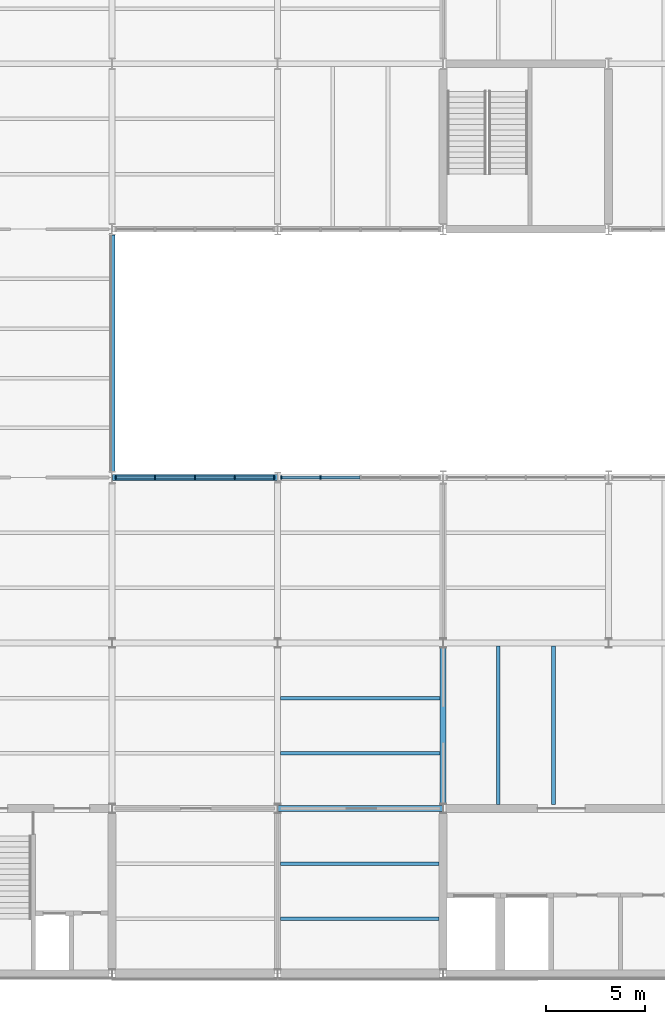
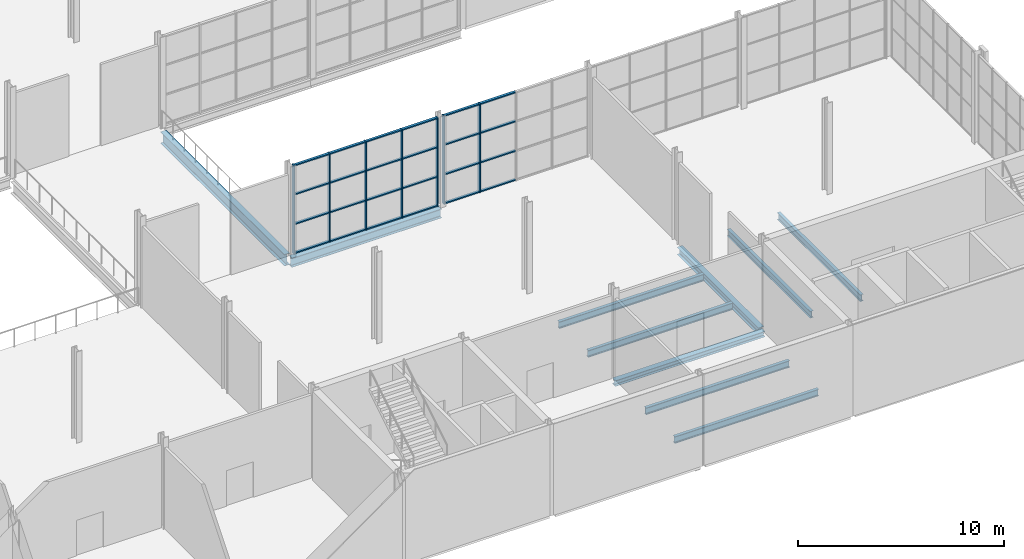
# One storey, part 22 of 64: 31 members, 10 beams, 2 elements without a shape of their own.
"""IFC4 building model written with IfcOpenShell, lengths in metres."""

import ifcopenshell
import ifcopenshell.guid

model = None  # the IFC model being written
_history = None  # IfcOwnerHistory: only IFC2X3 demands one
_inside = {}  # id of a spatial element -> (the spatial element, [elements in it])
_under = {}  # id of a project, library or spatial element -> (it, [spatial elements below it])
_declared = {}  # id of a project -> (the project, [libraries it declares])
_typed = {}  # id of a type object -> (the type object, [elements of that type])
_made_of = {}  # id of a material, layer set ... -> (it, [elements and type objects made of it])


def new_model(schema):
    """Start an empty IFC model of exactly this schema.

    Asked for "IFC4X3", IfcOpenShell would pick the latest addendum, in which some entities
    have other attributes; the version numbers below select the first issue.
    IFC2X3 requires an IfcOwnerHistory on every rooted entity: one is made here for all.
    """
    global model, _history
    if schema == "IFC4X3":
        model = ifcopenshell.file(schema_version=(4, 3, 0, 0))
    else:
        model = ifcopenshell.file(schema=schema)
    _inside.clear()
    _under.clear()
    _declared.clear()
    _typed.clear()
    _made_of.clear()
    _history = None
    if model.schema == "IFC2X3":
        org = make("IfcOrganization", Name="unknown")
        user = make(
            "IfcPersonAndOrganization",
            ThePerson=make("IfcPerson", FamilyName="unknown"),
            TheOrganization=org,
        )
        app = make(
            "IfcApplication",
            ApplicationDeveloper=org,
            Version="unknown",
            ApplicationFullName="unknown",
            ApplicationIdentifier="unknown",
        )
        _history = make(
            "IfcOwnerHistory",
            OwningUser=user,
            OwningApplication=app,
            ChangeAction="ADDED",
            CreationDate=0,
        )
    return model


def make(cls, **values):
    """One entity of the class cls with the attributes given. An attribute that is None is left unset."""
    return model.create_entity(
        cls, **{name: value for name, value in values.items() if value is not None}
    )


def rooted(cls, **values):
    """An entity with a GlobalId (a new one), such as an element, a storey or a relation."""
    return make(cls, GlobalId=ifcopenshell.guid.new(), OwnerHistory=_history, **values)


def si_unit(unit_type, name, prefix=None):
    """IfcSIUnit, for example si_unit("LENGTHUNIT", "METRE", prefix="MILLI")."""
    return make("IfcSIUnit", UnitType=unit_type, Prefix=prefix, Name=name)


def assignment(units):
    """IfcUnitAssignment: the units of a project."""
    return None if units is None else make("IfcUnitAssignment", Units=units)


def point(xyz):
    """IfcCartesianPoint."""
    return None if xyz is None else make("IfcCartesianPoint", Coordinates=xyz)


def direction(xyz):
    """IfcDirection."""
    return None if xyz is None else make("IfcDirection", DirectionRatios=xyz)


def frame(location, z_axis=None, x_axis=None):
    """IfcAxis2Placement3D, a coordinate frame: its origin and axes. An axis left out is left unset."""
    return make(
        "IfcAxis2Placement3D",
        Location=point(location),
        Axis=direction(z_axis),
        RefDirection=direction(x_axis),
    )


def frame_2d(location, x_axis=None):
    """IfcAxis2Placement2D, a coordinate frame in the plane: its origin and x axis."""
    return make(
        "IfcAxis2Placement2D", Location=point(location), RefDirection=direction(x_axis)
    )


def origin():
    """The frame at (0, 0, 0) with its axes left unset."""
    return frame((0.0, 0.0, 0.0))


def origin_2d():
    """The frame at (0, 0) in the plane with its x axis left unset."""
    return frame_2d((0.0, 0.0))


def place(relative_to, where):
    """IfcLocalPlacement: puts the frame where relative to a parent placement (None: the world)."""
    return make(
        "IfcLocalPlacement", PlacementRelTo=relative_to, RelativePlacement=where
    )


def context(
    kind, dimensions, precision=None, world=None, true_north=None, identifier=None
):
    """IfcGeometricRepresentationContext, for example the 3D "Model" context."""
    return make(
        "IfcGeometricRepresentationContext",
        ContextIdentifier=identifier,
        ContextType=kind,
        CoordinateSpaceDimension=dimensions,
        Precision=precision,
        WorldCoordinateSystem=world,
        TrueNorth=true_north,
    )


def subcontext(parent, identifier, kind, view, scale=None):
    """IfcGeometricRepresentationSubContext, for example "Body" below "Model"."""
    return make(
        "IfcGeometricRepresentationSubContext",
        ContextIdentifier=identifier,
        ContextType=kind,
        ParentContext=parent,
        TargetScale=scale,
        TargetView=view,
    )


def project(units=None, contexts=None):
    """IfcProject with its units and contexts."""
    return rooted(
        "IfcProject",
        Name="project",
        RepresentationContexts=contexts,
        UnitsInContext=assignment(units),
    )


def spatial(cls, under=None, at=None, **own):
    """A site, building, storey or space (cls), placed at a placement, below another one or the project."""
    s = rooted(cls, ObjectPlacement=at, **own)
    if under is not None:
        _under.setdefault(under.id(), (under, []))[1].append(s)
    return s


def profile(cls, at=None, kind="AREA", **sizes):
    """A parametric profile (cls). Its sizes go by their IFC names, for example OverallWidth=200.0."""
    return make(cls, ProfileType=kind, Position=at, **sizes)


def rectangle(**sizes):
    """IfcRectangleProfileDef."""
    return profile("IfcRectangleProfileDef", **sizes)


def i_section(**sizes):
    """IfcIShapeProfileDef."""
    return profile("IfcIShapeProfileDef", **sizes)


def extrude(swept, where, along, depth):
    """IfcExtrudedAreaSolid: the profile swept, set in the frame where, extruded along a direction by depth."""
    return make(
        "IfcExtrudedAreaSolid",
        SweptArea=swept,
        Position=where,
        ExtrudedDirection=direction(along),
        Depth=depth,
    )


def shape(context_of_items, identifier, shape_type, items):
    """IfcShapeRepresentation: the items that make up one representation, for example the "Body"."""
    return make(
        "IfcShapeRepresentation",
        ContextOfItems=context_of_items,
        RepresentationIdentifier=identifier,
        RepresentationType=shape_type,
        Items=items,
    )


def material(Name=None, Category=None):
    """IfcMaterial."""
    return make("IfcMaterial", Name=Name, Category=Category)


def layer(
    of_material, thickness, ventilated=None, Name=None, Category=None, Priority=None
):
    """IfcMaterialLayer: one layer of a wall or slab, of a material (None: an air gap)."""
    return make(
        "IfcMaterialLayer",
        Material=of_material,
        LayerThickness=thickness,
        IsVentilated=ventilated,
        Name=Name,
        Category=Category,
        Priority=Priority,
    )


def layer_set(layers, Name=None):
    """IfcMaterialLayerSet."""
    return make("IfcMaterialLayerSet", MaterialLayers=layers, LayerSetName=Name)


def material_profile(
    of_material, cross_section, Name=None, Category=None, Priority=None
):
    """IfcMaterialProfile: a cross section and its material."""
    return make(
        "IfcMaterialProfile",
        Name=Name,
        Material=of_material,
        Profile=cross_section,
        Priority=Priority,
        Category=Category,
    )


def profile_set(profiles, Name=None, composite=None):
    """IfcMaterialProfileSet."""
    return make(
        "IfcMaterialProfileSet",
        Name=Name,
        MaterialProfiles=profiles,
        CompositeProfile=composite,
    )


def made_of(thing, what):
    """Note that an element or type object is made of a material, layer set ...; save() writes the relation."""
    if what is not None:
        _made_of.setdefault(what.id(), (what, []))[1].append(thing)
    return thing


def type_object(cls, material=None, **own):
    """A type object (cls), such as IfcWallType, which elements share."""
    return made_of(rooted(cls, **own), material)


def element(
    cls,
    number,
    at=None,
    inside=None,
    cuts=None,
    type_object=None,
    material=None,
    context=None,
    identifier="Body",
    shape_type=None,
    held_by="IfcProductDefinitionShape",
    body=None,
    shapes=None,
    **own,
):
    """One element of the class cls, such as IfcWall. Its Tag is "e" and its number.

    at: its placement. inside: the storey or other place that contains it. cuts: it is an
    opening in that element (IfcRelVoidsElement). A single representation is given by context,
    identifier, shape_type and body (its items); several are given by shapes. held_by: the class
    of the entity that holds the representations. save() writes the other relations.
    """
    e = rooted(cls, Tag="e%d" % number, ObjectPlacement=at, **own)
    if body is not None:
        shapes = [shape(context, identifier, shape_type, body)]
    if shapes is not None:
        e.Representation = make(held_by, Representations=shapes)
    if inside is not None:
        _inside.setdefault(inside.id(), (inside, []))[1].append(e)
    if cuts is not None:
        rooted(
            "IfcRelVoidsElement", RelatingBuildingElement=cuts, RelatedOpeningElement=e
        )
    if type_object is not None:
        _typed.setdefault(type_object.id(), (type_object, []))[1].append(e)
    return made_of(e, material)


def aggregate(whole, parts):
    """IfcRelAggregates: a whole, such as a stair, and the parts it consists of."""
    return rooted("IfcRelAggregates", RelatingObject=whole, RelatedObjects=parts)


def save(model, path):
    """Write the relations noted so far, then the file.

    IfcRelAggregates (storeys below a building ...), IfcRelContainedInSpatialStructure (elements
    in a storey), IfcRelDefinesByType, IfcRelAssociatesMaterial and IfcRelDeclares: one each for
    every whole, place, type object, material and project.
    """
    for whole, parts in _under.values():
        aggregate(whole, parts)
    for where, things in _inside.values():
        rooted(
            "IfcRelContainedInSpatialStructure",
            RelatedElements=things,
            RelatingStructure=where,
        )
    for kind, things in _typed.values():
        rooted("IfcRelDefinesByType", RelatedObjects=things, RelatingType=kind)
    for what, things in _made_of.values():
        rooted("IfcRelAssociatesMaterial", RelatedObjects=things, RelatingMaterial=what)
    for by, libraries in _declared.values():
        rooted("IfcRelDeclares", RelatingContext=by, RelatedDefinitions=libraries)
    model.write(path)


model = new_model("IFC4")

# Units and contexts
model_context = context("Model", 3, precision=1e-05, world=origin(), true_north=direction((0.0, 1.0)))
body_context = subcontext(model_context, "Body", "Model", "MODEL_VIEW")
ifc_project = project(units=[si_unit("LENGTHUNIT", "METRE"), si_unit("AREAUNIT", "SQUARE_METRE"), si_unit("VOLUMEUNIT", "CUBIC_METRE"), si_unit("PLANEANGLEUNIT", "RADIAN"), si_unit("MASSUNIT", "GRAM", prefix="KILO")], contexts=[model_context])

# Site, building, storey
site_placement = place(None, origin())
site = spatial("IfcSite", under=ifc_project, at=site_placement, CompositionType="ELEMENT")
building_placement = place(site_placement, origin())
building = spatial("IfcBuilding", under=site, at=building_placement, Name="Galleria Vessillo Department Store", CompositionType="ELEMENT")
storey_placement = place(building_placement, frame((0.0, 0.0, 6.0)))
storey = spatial("IfcBuildingStorey", under=building, at=storey_placement, Name="L01", CompositionType="ELEMENT", Elevation=6.0)

# Curtain wall, members
ifc_material_1 = material(Name="Aluminium and glass curtain wall", Category="aluminium")
ifc_layer = layer(ifc_material_1, 0.199951171875)
ifc_layer_set = layer_set([ifc_layer], Name="Aluminium and glass curtain wall")
curtain_wall_type = type_object("IfcCurtainWallType", Name="Arcade curtain wall CW1 2100 module", PredefinedType="NOTDEFINED", material=ifc_layer_set)
curtain_wall_1_placement = place(storey_placement, origin())
curtain_wall_1 = element("IfcCurtainWall", 1, at=curtain_wall_1_placement, inside=storey, type_object=curtain_wall_type, Name="Arcade curtain wall CW1 2100 module AI-AE-S-L01-01", PredefinedType="NOTDEFINED")
ifc_material_2 = material(Name="Aluminium alloy 6063 T6", Category="aluminium")
ifc_material_profile_1 = material_profile(ifc_material_2, rectangle(XDim=0.199951171875, YDim=0.06005859375, at=origin_2d()), Name="AL 60x200")
ifc_profile_set_1 = profile_set([ifc_material_profile_1], Name="Aluminium alloy 6063 T6")
member_type_1 = type_object("IfcMemberType", Name="Aluminium mullion 60 x 200", PredefinedType="MULLION", material=ifc_profile_set_1)
member_1_placement = place(storey_placement, frame((84.1826171875, 25.199951171875, 0.0), z_axis=(0.0, 0.0, 1.0), x_axis=(0.0, 1.0, 0.0)))
member_1 = element("IfcMember", 2, at=member_1_placement, type_object=member_type_1, Name="CW1 mullion 1", PredefinedType="MULLION", context=body_context, shape_type="SweptSolid", body=[
    extrude(rectangle(XDim=0.199951171875, YDim=0.06005859375, at=origin_2d()), origin(), (0.0, 0.0, 1.0), 5.25),
])
member_2_placement = place(storey_placement, frame((86.17626953125, 25.199951171875, 0.0), z_axis=(0.0, 0.0, 1.0), x_axis=(0.0, 1.0, 0.0)))
member_2 = element("IfcMember", 3, at=member_2_placement, type_object=member_type_1, Name="CW1 mullion 2", PredefinedType="MULLION", context=body_context, shape_type="SweptSolid", body=[
    extrude(rectangle(XDim=0.199951171875, YDim=0.06005859375, at=origin_2d()), origin(), (0.0, 0.0, 1.0), 5.25),
])
member_3_placement = place(storey_placement, frame((88.19970703125, 25.199951171875, 0.0), z_axis=(0.0, 0.0, 1.0), x_axis=(0.0, 1.0, 0.0)))
member_3 = element("IfcMember", 4, at=member_3_placement, type_object=member_type_1, Name="CW1 mullion 3", PredefinedType="MULLION", context=body_context, shape_type="SweptSolid", body=[
    extrude(rectangle(XDim=0.199951171875, YDim=0.06005859375, at=origin_2d()), origin(), (0.0, 0.0, 1.0), 5.25),
])
member_4_placement = place(storey_placement, frame((90.223388671875, 25.199951171875, 0.0), z_axis=(0.0, 0.0, 1.0), x_axis=(0.0, 1.0, 0.0)))
member_4 = element("IfcMember", 5, at=member_4_placement, type_object=member_type_1, Name="CW1 mullion 4", PredefinedType="MULLION", context=body_context, shape_type="SweptSolid", body=[
    extrude(rectangle(XDim=0.199951171875, YDim=0.06005859375, at=origin_2d()), origin(), (0.0, 0.0, 1.0), 5.25),
])
member_5_placement = place(storey_placement, frame((92.216796875, 25.199951171875, 0.0), z_axis=(0.0, 0.0, 1.0), x_axis=(0.0, 1.0, 0.0)))
member_5 = element("IfcMember", 6, at=member_5_placement, type_object=member_type_1, Name="CW1 mullion 5", PredefinedType="MULLION", context=body_context, shape_type="SweptSolid", body=[
    extrude(rectangle(XDim=0.199951171875, YDim=0.06005859375, at=origin_2d()), origin(), (0.0, 0.0, 1.0), 5.25),
])

curtain_wall_2_placement = place(storey_placement, origin())
curtain_wall_2 = element("IfcCurtainWall", 7, at=curtain_wall_2_placement, inside=storey, type_object=curtain_wall_type, Name="Arcade curtain wall CW1 2100 module AI-AE-S-L01-02", PredefinedType="NOTDEFINED")
member_6_placement = place(storey_placement, frame((92.5830078125, 25.199951171875, 0.0), z_axis=(0.0, 0.0, 1.0), x_axis=(0.0, 1.0, 0.0)))
member_6 = element("IfcMember", 8, at=member_6_placement, type_object=member_type_1, Name="CW1 mullion 1", PredefinedType="MULLION", context=body_context, shape_type="SweptSolid", body=[
    extrude(rectangle(XDim=0.199951171875, YDim=0.06005859375, at=origin_2d()), origin(), (0.0, 0.0, 1.0), 5.25),
])
member_7_placement = place(storey_placement, frame((94.57666015625, 25.199951171875, 0.0), z_axis=(0.0, 0.0, 1.0), x_axis=(0.0, 1.0, 0.0)))
member_7 = element("IfcMember", 9, at=member_7_placement, type_object=member_type_1, Name="CW1 mullion 2", PredefinedType="MULLION", context=body_context, shape_type="SweptSolid", body=[
    extrude(rectangle(XDim=0.199951171875, YDim=0.06005859375, at=origin_2d()), origin(), (0.0, 0.0, 1.0), 5.25),
])

# Member
ifc_material_3 = material(Name="Aluminium alloy 6063 T6", Category="aluminium")
ifc_material_profile_2 = material_profile(ifc_material_3, rectangle(XDim=0.139892578125, YDim=0.070068359375, at=origin_2d()), Name="AL 70x140")
ifc_profile_set_2 = profile_set([ifc_material_profile_2], Name="Aluminium alloy 6063 T6")
member_type_2 = type_object("IfcMemberType", Name="Aluminium transom 70 x 140", PredefinedType="USERDEFINED", material=ifc_profile_set_2)
member_8_placement = place(storey_placement, frame((84.212646484375, 25.199951171875, 0.034912109375), z_axis=(1.0, 0.0, 0.0), x_axis=(0.0, 1.0, 0.0)))
member_8 = element("IfcMember", 10, at=member_8_placement, type_object=member_type_2, Name="CW1 transom 1.1", ObjectType="TRANSOM", PredefinedType="USERDEFINED", context=body_context, shape_type="SweptSolid", body=[
    extrude(rectangle(XDim=0.139892578125, YDim=0.070068359375, at=origin_2d()), origin(), (0.0, 0.0, 1.0), 1.93359375),
])

member_9_placement = place(storey_placement, frame((84.212646484375, 25.199951171875, 1.75), z_axis=(1.0, 0.0, 0.0), x_axis=(0.0, 1.0, 0.0)))
member_9 = element("IfcMember", 11, at=member_9_placement, type_object=member_type_2, Name="CW1 transom 1.2", ObjectType="TRANSOM", PredefinedType="USERDEFINED", context=body_context, shape_type="SweptSolid", body=[
    extrude(rectangle(XDim=0.139892578125, YDim=0.070068359375, at=origin_2d()), origin(), (0.0, 0.0, 1.0), 1.93359375),
])

member_10_placement = place(storey_placement, frame((84.212646484375, 25.199951171875, 3.5), z_axis=(1.0, 0.0, 0.0), x_axis=(0.0, 1.0, 0.0)))
member_10 = element("IfcMember", 12, at=member_10_placement, type_object=member_type_2, Name="CW1 transom 1.3", ObjectType="TRANSOM", PredefinedType="USERDEFINED", context=body_context, shape_type="SweptSolid", body=[
    extrude(rectangle(XDim=0.139892578125, YDim=0.070068359375, at=origin_2d()), origin(), (0.0, 0.0, 1.0), 1.93359375),
])

member_11_placement = place(storey_placement, frame((84.212646484375, 25.199951171875, 5.215087890625), z_axis=(1.0, 0.0, 0.0), x_axis=(0.0, 1.0, 0.0)))
member_11 = element("IfcMember", 13, at=member_11_placement, type_object=member_type_2, Name="CW1 transom 1.4", ObjectType="TRANSOM", PredefinedType="USERDEFINED", context=body_context, shape_type="SweptSolid", body=[
    extrude(rectangle(XDim=0.139892578125, YDim=0.070068359375, at=origin_2d()), origin(), (0.0, 0.0, 1.0), 1.93359375),
])

member_12_placement = place(storey_placement, frame((86.2060546875, 25.199951171875, 0.034912109375), z_axis=(1.0, 0.0, 0.0), x_axis=(0.0, 1.0, 0.0)))
member_12 = element("IfcMember", 14, at=member_12_placement, type_object=member_type_2, Name="CW1 transom 2.1", ObjectType="TRANSOM", PredefinedType="USERDEFINED", context=body_context, shape_type="SweptSolid", body=[
    extrude(rectangle(XDim=0.139892578125, YDim=0.070068359375, at=origin_2d()), origin(), (0.0, 0.0, 1.0), 1.963623046875),
])

member_13_placement = place(storey_placement, frame((86.2060546875, 25.199951171875, 1.75), z_axis=(1.0, 0.0, 0.0), x_axis=(0.0, 1.0, 0.0)))
member_13 = element("IfcMember", 15, at=member_13_placement, type_object=member_type_2, Name="CW1 transom 2.2", ObjectType="TRANSOM", PredefinedType="USERDEFINED", context=body_context, shape_type="SweptSolid", body=[
    extrude(rectangle(XDim=0.139892578125, YDim=0.070068359375, at=origin_2d()), origin(), (0.0, 0.0, 1.0), 1.963623046875),
])

member_14_placement = place(storey_placement, frame((86.2060546875, 25.199951171875, 3.5), z_axis=(1.0, 0.0, 0.0), x_axis=(0.0, 1.0, 0.0)))
member_14 = element("IfcMember", 16, at=member_14_placement, type_object=member_type_2, Name="CW1 transom 2.3", ObjectType="TRANSOM", PredefinedType="USERDEFINED", context=body_context, shape_type="SweptSolid", body=[
    extrude(rectangle(XDim=0.139892578125, YDim=0.070068359375, at=origin_2d()), origin(), (0.0, 0.0, 1.0), 1.963623046875),
])

member_15_placement = place(storey_placement, frame((86.2060546875, 25.199951171875, 5.215087890625), z_axis=(1.0, 0.0, 0.0), x_axis=(0.0, 1.0, 0.0)))
member_15 = element("IfcMember", 17, at=member_15_placement, type_object=member_type_2, Name="CW1 transom 2.4", ObjectType="TRANSOM", PredefinedType="USERDEFINED", context=body_context, shape_type="SweptSolid", body=[
    extrude(rectangle(XDim=0.139892578125, YDim=0.070068359375, at=origin_2d()), origin(), (0.0, 0.0, 1.0), 1.963623046875),
])

member_16_placement = place(storey_placement, frame((88.229736328125, 25.199951171875, 0.034912109375), z_axis=(1.0, 0.0, 0.0), x_axis=(0.0, 1.0, 0.0)))
member_16 = element("IfcMember", 18, at=member_16_placement, type_object=member_type_2, Name="CW1 transom 3.1", ObjectType="TRANSOM", PredefinedType="USERDEFINED", context=body_context, shape_type="SweptSolid", body=[
    extrude(rectangle(XDim=0.139892578125, YDim=0.070068359375, at=origin_2d()), origin(), (0.0, 0.0, 1.0), 1.963623046875),
])

member_17_placement = place(storey_placement, frame((88.229736328125, 25.199951171875, 1.75), z_axis=(1.0, 0.0, 0.0), x_axis=(0.0, 1.0, 0.0)))
member_17 = element("IfcMember", 19, at=member_17_placement, type_object=member_type_2, Name="CW1 transom 3.2", ObjectType="TRANSOM", PredefinedType="USERDEFINED", context=body_context, shape_type="SweptSolid", body=[
    extrude(rectangle(XDim=0.139892578125, YDim=0.070068359375, at=origin_2d()), origin(), (0.0, 0.0, 1.0), 1.963623046875),
])

member_18_placement = place(storey_placement, frame((88.229736328125, 25.199951171875, 3.5), z_axis=(1.0, 0.0, 0.0), x_axis=(0.0, 1.0, 0.0)))
member_18 = element("IfcMember", 20, at=member_18_placement, type_object=member_type_2, Name="CW1 transom 3.3", ObjectType="TRANSOM", PredefinedType="USERDEFINED", context=body_context, shape_type="SweptSolid", body=[
    extrude(rectangle(XDim=0.139892578125, YDim=0.070068359375, at=origin_2d()), origin(), (0.0, 0.0, 1.0), 1.963623046875),
])

member_19_placement = place(storey_placement, frame((88.229736328125, 25.199951171875, 5.215087890625), z_axis=(1.0, 0.0, 0.0), x_axis=(0.0, 1.0, 0.0)))
member_19 = element("IfcMember", 21, at=member_19_placement, type_object=member_type_2, Name="CW1 transom 3.4", ObjectType="TRANSOM", PredefinedType="USERDEFINED", context=body_context, shape_type="SweptSolid", body=[
    extrude(rectangle(XDim=0.139892578125, YDim=0.070068359375, at=origin_2d()), origin(), (0.0, 0.0, 1.0), 1.963623046875),
])

member_20_placement = place(storey_placement, frame((90.253173828125, 25.199951171875, 0.034912109375), z_axis=(1.0, 0.0, 0.0), x_axis=(0.0, 1.0, 0.0)))
member_20 = element("IfcMember", 22, at=member_20_placement, type_object=member_type_2, Name="CW1 transom 4.1", ObjectType="TRANSOM", PredefinedType="USERDEFINED", context=body_context, shape_type="SweptSolid", body=[
    extrude(rectangle(XDim=0.139892578125, YDim=0.070068359375, at=origin_2d()), origin(), (0.0, 0.0, 1.0), 1.93359375),
])

member_21_placement = place(storey_placement, frame((90.253173828125, 25.199951171875, 1.75), z_axis=(1.0, 0.0, 0.0), x_axis=(0.0, 1.0, 0.0)))
member_21 = element("IfcMember", 23, at=member_21_placement, type_object=member_type_2, Name="CW1 transom 4.2", ObjectType="TRANSOM", PredefinedType="USERDEFINED", context=body_context, shape_type="SweptSolid", body=[
    extrude(rectangle(XDim=0.139892578125, YDim=0.070068359375, at=origin_2d()), origin(), (0.0, 0.0, 1.0), 1.93359375),
])

member_22_placement = place(storey_placement, frame((90.253173828125, 25.199951171875, 3.5), z_axis=(1.0, 0.0, 0.0), x_axis=(0.0, 1.0, 0.0)))
member_22 = element("IfcMember", 24, at=member_22_placement, type_object=member_type_2, Name="CW1 transom 4.3", ObjectType="TRANSOM", PredefinedType="USERDEFINED", context=body_context, shape_type="SweptSolid", body=[
    extrude(rectangle(XDim=0.139892578125, YDim=0.070068359375, at=origin_2d()), origin(), (0.0, 0.0, 1.0), 1.93359375),
])

member_23_placement = place(storey_placement, frame((90.253173828125, 25.199951171875, 5.215087890625), z_axis=(1.0, 0.0, 0.0), x_axis=(0.0, 1.0, 0.0)))
member_23 = element("IfcMember", 25, at=member_23_placement, type_object=member_type_2, Name="CW1 transom 4.4", ObjectType="TRANSOM", PredefinedType="USERDEFINED", context=body_context, shape_type="SweptSolid", body=[
    extrude(rectangle(XDim=0.139892578125, YDim=0.070068359375, at=origin_2d()), origin(), (0.0, 0.0, 1.0), 1.93359375),
])

aggregate(curtain_wall_1, [member_1, member_2, member_3, member_4, member_5, member_8, member_9, member_10, member_11, member_12, member_13, member_14, member_15, member_16, member_17, member_18, member_19, member_20, member_21, member_22, member_23])

member_24_placement = place(storey_placement, frame((92.613037109375, 25.199951171875, 0.034912109375), z_axis=(1.0, 0.0, 0.0), x_axis=(0.0, 1.0, 0.0)))
member_24 = element("IfcMember", 26, at=member_24_placement, type_object=member_type_2, Name="CW1 transom 1.1", ObjectType="TRANSOM", PredefinedType="USERDEFINED", context=body_context, shape_type="SweptSolid", body=[
    extrude(rectangle(XDim=0.139892578125, YDim=0.070068359375, at=origin_2d()), origin(), (0.0, 0.0, 1.0), 1.93359375),
])

member_25_placement = place(storey_placement, frame((92.613037109375, 25.199951171875, 1.75), z_axis=(1.0, 0.0, 0.0), x_axis=(0.0, 1.0, 0.0)))
member_25 = element("IfcMember", 27, at=member_25_placement, type_object=member_type_2, Name="CW1 transom 1.2", ObjectType="TRANSOM", PredefinedType="USERDEFINED", context=body_context, shape_type="SweptSolid", body=[
    extrude(rectangle(XDim=0.139892578125, YDim=0.070068359375, at=origin_2d()), origin(), (0.0, 0.0, 1.0), 1.93359375),
])

member_26_placement = place(storey_placement, frame((92.613037109375, 25.199951171875, 3.5), z_axis=(1.0, 0.0, 0.0), x_axis=(0.0, 1.0, 0.0)))
member_26 = element("IfcMember", 28, at=member_26_placement, type_object=member_type_2, Name="CW1 transom 1.3", ObjectType="TRANSOM", PredefinedType="USERDEFINED", context=body_context, shape_type="SweptSolid", body=[
    extrude(rectangle(XDim=0.139892578125, YDim=0.070068359375, at=origin_2d()), origin(), (0.0, 0.0, 1.0), 1.93359375),
])

member_27_placement = place(storey_placement, frame((92.613037109375, 25.199951171875, 5.215087890625), z_axis=(1.0, 0.0, 0.0), x_axis=(0.0, 1.0, 0.0)))
member_27 = element("IfcMember", 29, at=member_27_placement, type_object=member_type_2, Name="CW1 transom 1.4", ObjectType="TRANSOM", PredefinedType="USERDEFINED", context=body_context, shape_type="SweptSolid", body=[
    extrude(rectangle(XDim=0.139892578125, YDim=0.070068359375, at=origin_2d()), origin(), (0.0, 0.0, 1.0), 1.93359375),
])

member_28_placement = place(storey_placement, frame((94.606689453125, 25.199951171875, 0.034912109375), z_axis=(1.0, 0.0, 0.0), x_axis=(0.0, 1.0, 0.0)))
member_28 = element("IfcMember", 30, at=member_28_placement, type_object=member_type_2, Name="CW1 transom 2.1", ObjectType="TRANSOM", PredefinedType="USERDEFINED", context=body_context, shape_type="SweptSolid", body=[
    extrude(rectangle(XDim=0.139892578125, YDim=0.070068359375, at=origin_2d()), origin(), (0.0, 0.0, 1.0), 1.963623046875),
])

member_29_placement = place(storey_placement, frame((94.606689453125, 25.199951171875, 1.75), z_axis=(1.0, 0.0, 0.0), x_axis=(0.0, 1.0, 0.0)))
member_29 = element("IfcMember", 31, at=member_29_placement, type_object=member_type_2, Name="CW1 transom 2.2", ObjectType="TRANSOM", PredefinedType="USERDEFINED", context=body_context, shape_type="SweptSolid", body=[
    extrude(rectangle(XDim=0.139892578125, YDim=0.070068359375, at=origin_2d()), origin(), (0.0, 0.0, 1.0), 1.963623046875),
])

member_30_placement = place(storey_placement, frame((94.606689453125, 25.199951171875, 3.5), z_axis=(1.0, 0.0, 0.0), x_axis=(0.0, 1.0, 0.0)))
member_30 = element("IfcMember", 32, at=member_30_placement, type_object=member_type_2, Name="CW1 transom 2.3", ObjectType="TRANSOM", PredefinedType="USERDEFINED", context=body_context, shape_type="SweptSolid", body=[
    extrude(rectangle(XDim=0.139892578125, YDim=0.070068359375, at=origin_2d()), origin(), (0.0, 0.0, 1.0), 1.963623046875),
])

member_31_placement = place(storey_placement, frame((94.606689453125, 25.199951171875, 5.215087890625), z_axis=(1.0, 0.0, 0.0), x_axis=(0.0, 1.0, 0.0)))
member_31 = element("IfcMember", 33, at=member_31_placement, type_object=member_type_2, Name="CW1 transom 2.4", ObjectType="TRANSOM", PredefinedType="USERDEFINED", context=body_context, shape_type="SweptSolid", body=[
    extrude(rectangle(XDim=0.139892578125, YDim=0.070068359375, at=origin_2d()), origin(), (0.0, 0.0, 1.0), 1.963623046875),
])

aggregate(curtain_wall_2, [member_6, member_7, member_24, member_25, member_26, member_27, member_28, member_29, member_30, member_31])

# Beams
ifc_material_4 = material(Name="Steel S355 J2", Category="steel")
ifc_material_profile_3 = material_profile(ifc_material_4, i_section(OverallWidth=0.300048828125, OverallDepth=0.68994140625, WebThickness=0.014404296875, FlangeThickness=0.027099609375, FilletRadius=0.027099609375, at=origin_2d()), Name="HEA 700")
ifc_profile_set_3 = profile_set([ifc_material_profile_3], Name="Steel S355 J2")
beam_type_1 = type_object("IfcBeamType", Name="Bridge girder HEA 700", PredefinedType="BEAM", material=ifc_profile_set_3)
beam_1_placement = place(storey_placement, frame((84.0, 25.51025390625, -0.494873046875), z_axis=(0.0, 1.0, 0.0), x_axis=(-1.0, 0.0, 0.0)))
element("IfcBeam", 34, at=beam_1_placement, inside=storey, type_object=beam_type_1, Name="S-BM-L01-BR-y84000-25510", PredefinedType="BEAM", context=body_context, shape_type="SweptSolid", body=[
    extrude(i_section(OverallWidth=0.300048828125, OverallDepth=0.68994140625, WebThickness=0.014404296875, FlangeThickness=0.027099609375, FilletRadius=0.027099609375, at=origin_2d()), origin(), (0.0, 0.0, 1.0), 12.003662109375),
])
ifc_material_5 = material(Name="Steel S355 J2", Category="steel")
ifc_material_profile_4 = material_profile(ifc_material_5, i_section(OverallWidth=0.300048828125, OverallDepth=0.43994140625, WebThickness=0.011474609375, FlangeThickness=0.02099609375, FilletRadius=0.027099609375, at=origin_2d()), Name="HEA 450")
ifc_profile_set_4 = profile_set([ifc_material_profile_4], Name="Steel S355 J2")
beam_type_2 = type_object("IfcBeamType", Name="Floor girder HEA 450", PredefinedType="BEAM", material=ifc_profile_set_4)
beam_2_placement = place(storey_placement, frame((100.800048828125, 8.650146484375, -0.369873046875), z_axis=(0.0, 1.0, 0.0), x_axis=(-1.0, 0.0, 0.0)))
element("IfcBeam", 35, at=beam_2_placement, inside=storey, type_object=beam_type_2, Name="S-BM-L01-GI-y100800-8650", PredefinedType="BEAM", context=body_context, shape_type="SweptSolid", body=[
    extrude(i_section(OverallWidth=0.300048828125, OverallDepth=0.43994140625, WebThickness=0.011474609375, FlangeThickness=0.02099609375, FilletRadius=0.027099609375, at=origin_2d()), origin(), (0.0, 0.0, 1.0), 7.899658203125),
])
ifc_material_6 = material(Name="Steel S355 J2", Category="steel")
ifc_material_profile_5 = material_profile(ifc_material_6, i_section(OverallWidth=0.179931640625, OverallDepth=0.39990234375, WebThickness=0.008544921875, FlangeThickness=0.013427734375, FilletRadius=0.02099609375, at=origin_2d()), Name="IPE 400")
ifc_profile_set_5 = profile_set([ifc_material_profile_5], Name="Steel S355 J2")
beam_type_3 = type_object("IfcBeamType", Name="Floor joist IPE 400", PredefinedType="JOIST", material=ifc_profile_set_5)
for number, where, z_axis, x_axis, name in (
    (36, (92.550048828125, 2.800048828125, -0.349853515625), (1.0, 0.0, 0.0), (0.0, 1.0, 0.0), "S-BM-L01-JO-x2800-92550"),
    (37, (92.550048828125, 5.60009765625, -0.349853515625), (1.0, 0.0, 0.0), (0.0, 1.0, 0.0), "S-BM-L01-JO-x5600-92550"),
):
    element("IfcBeam", number, at=place(storey_placement, frame(where, z_axis=z_axis, x_axis=x_axis)), inside=storey, type_object=beam_type_3, Name=name, PredefinedType="JOIST", context=body_context, shape_type="SweptSolid", body=[
        extrude(i_section(OverallWidth=0.179931640625, OverallDepth=0.39990234375, WebThickness=0.008544921875, FlangeThickness=0.013427734375, FilletRadius=0.02099609375, at=origin_2d()), origin(), (0.0, 0.0, 1.0), 8.0498046875),
    ])
for number, where, z_axis, x_axis, name in (
    (38, (92.550048828125, 11.199951171875, -0.349853515625), (1.0, 0.0, 0.0), (0.0, 1.0, 0.0), "S-BM-L01-JO-x11200-92550"),
    (39, (92.550048828125, 14.0, -0.349853515625), (1.0, 0.0, 0.0), (0.0, 1.0, 0.0), "S-BM-L01-JO-x14000-92550"),
):
    element("IfcBeam", number, at=place(storey_placement, frame(where, z_axis=z_axis, x_axis=x_axis)), inside=storey, type_object=beam_type_3, Name=name, PredefinedType="JOIST", context=body_context, shape_type="SweptSolid", body=[
        extrude(i_section(OverallWidth=0.179931640625, OverallDepth=0.39990234375, WebThickness=0.008544921875, FlangeThickness=0.013427734375, FilletRadius=0.02099609375, at=origin_2d()), origin(), (0.0, 0.0, 1.0), 8.099853515625),
    ])
for number, where, z_axis, x_axis, name in (
    (40, (103.60009765625, 8.60009765625, -0.349853515625), (0.0, 1.0, 0.0), (-1.0, 0.0, 0.0), "S-BM-L01-JO-y103600-8600"),
    (41, (106.39990234375, 8.60009765625, -0.349853515625), (0.0, 1.0, 0.0), (-1.0, 0.0, 0.0), "S-BM-L01-JO-y106400-8600"),
):
    element("IfcBeam", number, at=place(storey_placement, frame(where, z_axis=z_axis, x_axis=x_axis)), inside=storey, type_object=beam_type_3, Name=name, PredefinedType="JOIST", context=body_context, shape_type="SweptSolid", body=[
        extrude(i_section(OverallWidth=0.179931640625, OverallDepth=0.39990234375, WebThickness=0.008544921875, FlangeThickness=0.013427734375, FilletRadius=0.02099609375, at=origin_2d()), origin(), (0.0, 0.0, 1.0), 8.0498046875),
    ])
ifc_material_7 = material(Name="Steel S355 J2", Category="steel")
ifc_material_profile_6 = material_profile(ifc_material_7, i_section(OverallWidth=0.300048828125, OverallDepth=0.330078125, WebThickness=0.009521484375, FlangeThickness=0.0166015625, FilletRadius=0.027099609375, at=origin_2d()), Name="HEA 340")
ifc_profile_set_6 = profile_set([ifc_material_profile_6], Name="Steel S355 J2")
beam_type_4 = type_object("IfcBeamType", Name="Floor tie girder HEA 340", PredefinedType="BEAM", material=ifc_profile_set_6)
beam_3_placement = place(storey_placement, frame((92.407470703125, 8.39990234375, -0.31494140625), z_axis=(1.0, 0.0, 0.0), x_axis=(0.0, 1.0, 0.0)))
element("IfcBeam", 42, at=beam_3_placement, inside=storey, type_object=beam_type_4, Name="S-BM-L01-TI-x8400-92407", PredefinedType="BEAM", context=body_context, shape_type="SweptSolid", body=[
    extrude(i_section(OverallWidth=0.300048828125, OverallDepth=0.330078125, WebThickness=0.009521484375, FlangeThickness=0.0166015625, FilletRadius=0.027099609375, at=origin_2d()), origin(), (0.0, 0.0, 1.0), 8.38525390625),
])
ifc_material_8 = material(Name="Steel S355 J2", Category="steel")
ifc_material_profile_7 = material_profile(ifc_material_8, i_section(OverallWidth=0.300048828125, OverallDepth=0.5400390625, WebThickness=0.012451171875, FlangeThickness=0.02392578125, FilletRadius=0.027099609375, at=origin_2d()), Name="HEA 550")
ifc_profile_set_7 = profile_set([ifc_material_profile_7], Name="Steel S355 J2")
beam_type_5 = type_object("IfcBeamType", Name="Trimmer beam HEA 550", PredefinedType="BEAM", material=ifc_profile_set_7)
beam_4_placement = place(storey_placement, frame((84.0107421875, 25.199951171875, -0.419921875), z_axis=(1.0, 0.0, 0.0), x_axis=(0.0, 1.0, 0.0)))
element("IfcBeam", 43, at=beam_4_placement, inside=storey, type_object=beam_type_5, Name="S-BM-L01-TR-x25200-84011", PredefinedType="BEAM", context=body_context, shape_type="SweptSolid", body=[
    extrude(i_section(OverallWidth=0.300048828125, OverallDepth=0.5400390625, WebThickness=0.012451171875, FlangeThickness=0.02392578125, FilletRadius=0.027099609375, at=origin_2d()), origin(), (0.0, 0.0, 1.0), 8.378662109375),
])

save(model, "model.ifc")
